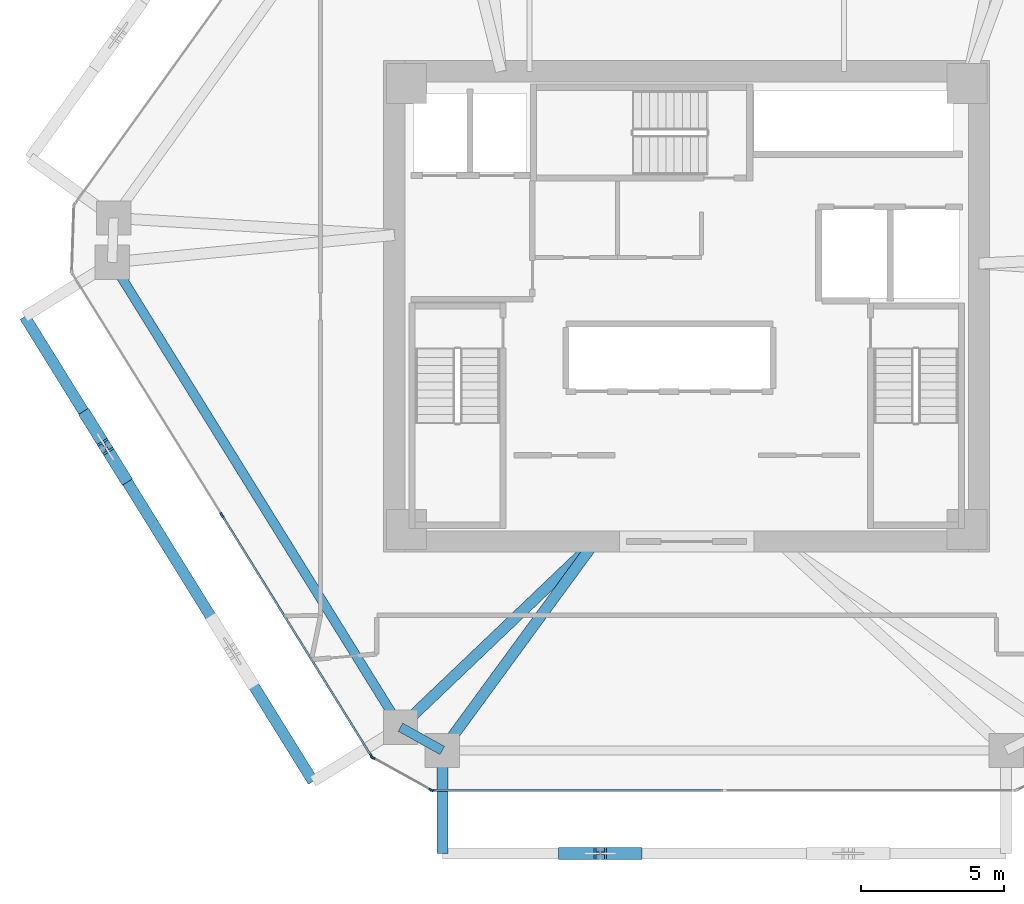
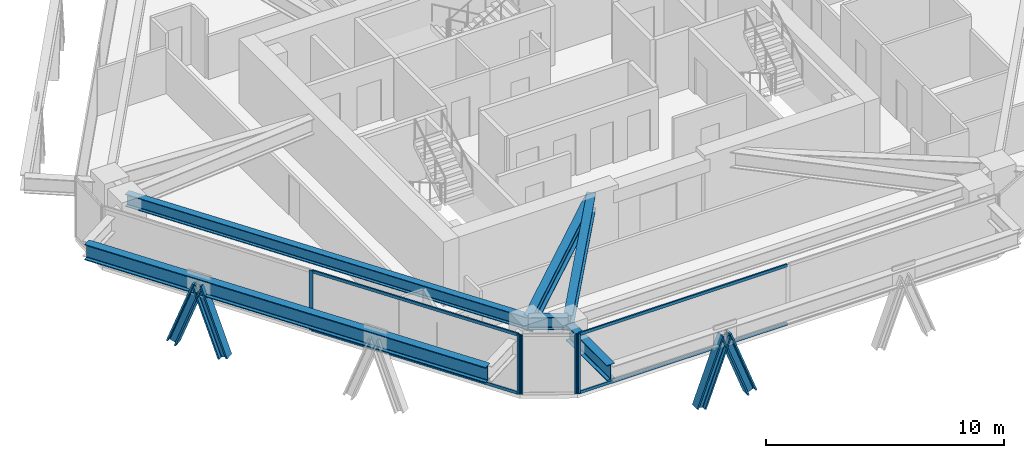
# One storey, part 2 of 15: 13 members, 6 beams, 3 elements without a shape of their own.
"""IFC4 building model written with IfcOpenShell, lengths in metres."""

from ifc_helpers import new_model, si_unit, direction, frame, origin, origin_2d, place, context, subcontext, project, spatial, rectangle, i_section, extrude, source, transform, mapped, material, layer, layer_set, material_profile, profile_set, type_object, type_shapes, element, aggregate, save


model = new_model("IFC4")

# Units and contexts
model_context = context("Model", 3, precision=1e-05, world=origin(), true_north=direction((0.0, 1.0)))
body_context = subcontext(model_context, "Body", "Model", "MODEL_VIEW")
ifc_project = project(units=[si_unit("LENGTHUNIT", "METRE"), si_unit("AREAUNIT", "SQUARE_METRE"), si_unit("VOLUMEUNIT", "CUBIC_METRE"), si_unit("PLANEANGLEUNIT", "RADIAN"), si_unit("MASSUNIT", "GRAM", prefix="KILO")], contexts=[model_context])

# Site, building, storey
site_placement = place(None, origin())
site = spatial("IfcSite", under=ifc_project, at=site_placement, CompositionType="ELEMENT")
building_placement = place(site_placement, origin())
building = spatial("IfcBuilding", under=site, at=building_placement, Name="Durnholm Broadcast Tower", CompositionType="ELEMENT")
storey_placement = place(building_placement, frame((0.0, 0.0, 104.10009765625)))
storey = spatial("IfcBuildingStorey", under=building, at=storey_placement, Name="L27", CompositionType="ELEMENT", Elevation=104.10009765625)

# Beams
ifc_material_1 = material(Name="Steel ASTM A992 Grade 50", Category="steel")
ifc_material_profile_1 = material_profile(ifc_material_1, i_section(OverallWidth=0.385009765625, OverallDepth=0.802978515625, WebThickness=0.023681640625, FlangeThickness=0.0419921875, FilletRadius=0.032958984375, at=origin_2d()), Name="W30X261")
ifc_profile_set_1 = profile_set([ifc_material_profile_1], Name="Steel ASTM A992 Grade 50")
beam_type_1 = type_object("IfcBeamType", Name="BM-EXO-TIE", PredefinedType="USERDEFINED", material=ifc_profile_set_1)
shared_shape_1 = source(origin(), body_context, "Body", "SweptSolid", [
    extrude(i_section(OverallWidth=0.385009765625, OverallDepth=0.802978515625, WebThickness=0.023681640625, FlangeThickness=0.0419921875, FilletRadius=0.032958984375, at=origin_2d()), origin(), (0.0, 0.0, 1.0), 3.4560546875),
])
beam_1_placement = place(storey_placement, frame((-8.552001953125, -15.680908203125, 2.30859375), z_axis=(0.0, -1.0, 0.0), x_axis=(1.0, 0.0, 0.0)))
element("IfcBeam", 1, at=beam_1_placement, inside=storey, type_object=beam_type_1, Name="L27 exoskeleton stand-off tie bracket F1.1", ObjectType="GIRDER", PredefinedType="USERDEFINED", context=body_context, shape_type="MappedRepresentation", body=[
    mapped(shared_shape_1, transform((0.0, 0.0, 0.0), x_axis=(1.0, 0.0, 0.0), y_axis=(0.0, 1.0, 0.0), z_axis=(0.0, 0.0, 1.0), scale=1.0)),
])
ifc_material_profile_2 = material_profile(ifc_material_1, i_section(OverallWidth=0.3291015625, OverallDepth=0.635009765625, WebThickness=0.017822265625, FlangeThickness=0.031005859375, FilletRadius=0.02783203125, at=origin_2d()), Name="W24X162")
ifc_profile_set_2 = profile_set([ifc_material_profile_2], Name="Steel ASTM A992 Grade 50")
beam_type_2 = type_object("IfcBeamType", Name="STL-SP-W24X162", PredefinedType="SPANDREL", material=ifc_profile_set_2)
shared_shape_2 = source(origin(), body_context, "Body", "SweptSolid", [
    extrude(i_section(OverallWidth=0.3291015625, OverallDepth=0.635009765625, WebThickness=0.017822265625, FlangeThickness=0.031005859375, FilletRadius=0.02783203125, at=origin_2d()), origin(), (0.0, 0.0, 1.0), 19.1396484375),
])
beam_2_placement = place(storey_placement, frame((-10.01416015625, -14.723388671875, 2.727294921875), z_axis=(-0.527105324954, 0.849799962582, 0.0), x_axis=(-0.849799962582, -0.527105324954, 0.0)))
element("IfcBeam", 2, at=beam_2_placement, inside=storey, type_object=beam_type_2, Name="L27 perimeter spandrel girder 01", PredefinedType="SPANDREL", context=body_context, shape_type="MappedRepresentation", body=[
    mapped(shared_shape_2, transform((0.0, 0.0, 0.0), x_axis=(1.0, 0.0, 0.0), y_axis=(0.0, 1.0, 0.0), z_axis=(0.0, 0.0, 1.0), scale=1.0)),
])
shared_shape_3 = source(origin(), body_context, "Body", "SweptSolid", [
    extrude(i_section(OverallWidth=0.3291015625, OverallDepth=0.635009765625, WebThickness=0.017822265625, FlangeThickness=0.031005859375, FilletRadius=0.02783203125, at=origin_2d()), origin(), (0.0, 0.0, 1.0), 1.67333984375),
])
type_shapes(beam_type_2, [shared_shape_2, shared_shape_3])
beam_3_placement = place(storey_placement, frame((-8.552001953125, -15.537109375, 2.727294921875), z_axis=(-0.873799169188, 0.486286964586, 0.0), x_axis=(-0.486286964586, -0.873799169188, 0.0)))
element("IfcBeam", 3, at=beam_3_placement, inside=storey, type_object=beam_type_2, Name="L27 perimeter spandrel girder 12", PredefinedType="SPANDREL", context=body_context, shape_type="MappedRepresentation", body=[
    mapped(shared_shape_3, transform((0.0, 0.0, 0.0), x_axis=(1.0, 0.0, 0.0), y_axis=(0.0, 1.0, 0.0), z_axis=(0.0, 0.0, 1.0), scale=1.0)),
])
ifc_material_profile_3 = material_profile(ifc_material_1, i_section(OverallWidth=0.385009765625, OverallDepth=0.802978515625, WebThickness=0.023681640625, FlangeThickness=0.0419921875, FilletRadius=0.032958984375, at=origin_2d()), Name="W30X261")
ifc_profile_set_3 = profile_set([ifc_material_profile_3], Name="Steel ASTM A992 Grade 50")
beam_type_3 = type_object("IfcBeamType", Name="STL-GR-W30X261", PredefinedType="USERDEFINED", material=ifc_profile_set_3)
shared_shape_4 = source(origin(), body_context, "Body", "SweptSolid", [
    extrude(i_section(OverallWidth=0.385009765625, OverallDepth=0.802978515625, WebThickness=0.023681640625, FlangeThickness=0.0419921875, FilletRadius=0.032958984375, at=origin_2d()), origin(), (0.0, 0.0, 1.0), 9.416015625),
])
beam_4_placement = place(storey_placement, frame((-3.199951171875, -8.22509765625, 2.643310546875), z_axis=(-0.723683335801, -0.690132182617, 0.0), x_axis=(0.690132182617, -0.723683335801, 0.0)))
element("IfcBeam", 4, at=beam_4_placement, inside=storey, type_object=beam_type_3, Name="L27 radial primary floor girder 01", ObjectType="GIRDER", PredefinedType="USERDEFINED", context=body_context, shape_type="MappedRepresentation", body=[
    mapped(shared_shape_4, transform((0.0, 0.0, 0.0), x_axis=(1.0, 0.0, 0.0), y_axis=(0.0, 1.0, 0.0), z_axis=(0.0, 0.0, 1.0), scale=1.0)),
])
shared_shape_5 = source(origin(), body_context, "Body", "SweptSolid", [
    extrude(i_section(OverallWidth=0.385009765625, OverallDepth=0.802978515625, WebThickness=0.023681640625, FlangeThickness=0.0419921875, FilletRadius=0.032958984375, at=origin_2d()), origin(), (0.0, 0.0, 1.0), 9.0615234375),
])
type_shapes(beam_type_3, [shared_shape_4, shared_shape_5])
beam_5_placement = place(storey_placement, frame((-3.199951171875, -8.22509765625, 2.643310546875), z_axis=(-0.590639241086, -0.806935739008, 0.0), x_axis=(0.806935739008, -0.590639241086, 0.0)))
element("IfcBeam", 5, at=beam_5_placement, inside=storey, type_object=beam_type_3, Name="L27 radial primary floor girder 12", ObjectType="GIRDER", PredefinedType="USERDEFINED", context=body_context, shape_type="MappedRepresentation", body=[
    mapped(shared_shape_5, transform((0.0, 0.0, 0.0), x_axis=(1.0, 0.0, 0.0), y_axis=(0.0, 1.0, 0.0), z_axis=(0.0, 0.0, 1.0), scale=1.0)),
])
shared_shape_6 = source(origin(), body_context, "Body", "SweptSolid", [
    extrude(i_section(OverallWidth=0.385009765625, OverallDepth=0.802978515625, WebThickness=0.023681640625, FlangeThickness=0.0419921875, FilletRadius=0.032958984375, at=origin_2d()), origin(), (0.0, 0.0, 1.0), 19.139404296875),
])
type_shapes(beam_type_1, [shared_shape_1, shared_shape_6])
beam_6_placement = place(storey_placement, frame((-23.162109375, -0.356201171875, 2.30859375), z_axis=(0.527111038734, -0.84979641847, 0.0), x_axis=(0.84979641847, 0.527111038734, 0.0)))
element("IfcBeam", 6, at=beam_6_placement, inside=storey, type_object=beam_type_1, Name="L27 exoskeleton collector spandrel F6", PredefinedType="SPANDREL", context=body_context, shape_type="MappedRepresentation", body=[
    mapped(shared_shape_6, transform((0.0, 0.0, 0.0), x_axis=(1.0, 0.0, 0.0), y_axis=(0.0, 1.0, 0.0), z_axis=(0.0, 0.0, 1.0), scale=1.0)),
])

# Members
ifc_material_2 = material(Name="Steel ASTM A913 Grade 65", Category="steel")
ifc_material_profile_4 = material_profile(ifc_material_2, i_section(OverallWidth=0.424072265625, OverallDepth=0.47412109375, WebThickness=0.047607421875, FlangeThickness=0.0771484375, FilletRadius=0.030517578125, at=origin_2d()), Name="W14X426")
ifc_profile_set_4 = profile_set([ifc_material_profile_4], Name="Steel ASTM A913 Grade 65")
member_type_1 = type_object("IfcMemberType", Name="STL-DG-W14X426", PredefinedType="BRACE", material=ifc_profile_set_4)
shared_shape_7 = source(origin(), body_context, "Body", "SweptSolid", [
    extrude(i_section(OverallWidth=0.424072265625, OverallDepth=0.47412109375, WebThickness=0.047607421875, FlangeThickness=0.0771484375, FilletRadius=0.030517578125, at=origin_2d()), origin(), (0.0, 0.0, 1.0), 3.523193359375),
])
type_shapes(member_type_1, [shared_shape_7])
for number, where, z_axis, x_axis, name in (
    (7, (-4.261962890625, -19.136962890625, -0.991455078125), (0.350219588454, 0.0, 0.936667625075), (0.0, 1.0, 0.0), "L27 stand-off diagrid brace F1.D1.1"),
    (8, (-1.794189453125, -19.136962890625, -0.991455078125), (-0.350219588454, 0.0, 0.936667625075), (0.0, -1.0, 0.0), "L27 stand-off diagrid brace F1.D1.2"),
    (9, (-20.987548828125, -3.86181640625, -0.991455078125), (0.184602835855, -0.297623566065, 0.936665364961), (0.849805205368, 0.527096872433, 0.0), "L27 stand-off diagrid brace F6.D1.1"),
    (10, (-19.686767578125, -5.958740234375, -0.991455078125), (-0.184606642766, 0.297560406921, 0.936684681032), (-0.849750220063, -0.527185511469, 0.0), "L27 stand-off diagrid brace F6.D1.2"),
):
    element("IfcMember", number, at=place(storey_placement, frame(where, z_axis=z_axis, x_axis=x_axis)), inside=storey, type_object=member_type_1, Name=name, PredefinedType="BRACE", context=body_context, shape_type="MappedRepresentation", body=[
        mapped(shared_shape_7, transform((0.0, 0.0, 0.0), x_axis=(1.0, 0.0, 0.0), y_axis=(0.0, 1.0, 0.0), z_axis=(0.0, 0.0, 1.0), scale=1.0)),
    ])

# Curtain wall, members
ifc_material_3 = material(Name="Aluminium and Solar Control IGU", Category="aluminium")
ifc_layer_1 = layer(ifc_material_3, 0.1650390625)
ifc_layer_set_1 = layer_set([ifc_layer_1], Name="Aluminium and Solar Control IGU")
curtain_wall_type_1 = type_object("IfcCurtainWallType", Name="CW-SYS-5", PredefinedType="NOTDEFINED", material=ifc_layer_set_1)
curtain_wall_1_placement = place(storey_placement, origin())
curtain_wall_1 = element("IfcCurtainWall", 11, at=curtain_wall_1_placement, inside=storey, type_object=curtain_wall_type_1, Name="L27 curtain wall CW-CORNER CW-L27-CRN-11", PredefinedType="NOTDEFINED")
ifc_material_4 = material(Name="Aluminium 6063-T6", Category="aluminium")
ifc_material_profile_5 = material_profile(ifc_material_4, rectangle(XDim=0.06494140625, YDim=0.1650390625, at=origin_2d()), Name="CWM65X165")
ifc_profile_set_5 = profile_set([ifc_material_profile_5], Name="Aluminium 6063-T6")
member_type_2 = type_object("IfcMemberType", Name="CW-SYS-5-MUL", PredefinedType="MULLION", material=ifc_profile_set_5)
shared_shape_8 = source(origin(), body_context, "Body", "SweptSolid", [
    extrude(rectangle(XDim=0.06494140625, YDim=0.1650390625, at=origin_2d()), origin(), (0.0, 0.0, 1.0), 3.059814453125),
])
type_shapes(member_type_2, [shared_shape_8])
member_1_placement = place(storey_placement, frame((-8.943603515625, -16.921142578125, 0.0), z_axis=(0.0, 0.0, 1.0), x_axis=(-0.486244224192, -0.873822953715, 0.0)))
member_1 = element("IfcMember", 12, at=member_1_placement, type_object=member_type_2, Name="CW-CORNER mullion 1", PredefinedType="MULLION", context=body_context, shape_type="MappedRepresentation", body=[
    mapped(shared_shape_8, transform((0.0, 0.0, 0.0), x_axis=(1.0, 0.0, 0.0), y_axis=(0.0, 1.0, 0.0), z_axis=(0.0, 0.0, 1.0), scale=1.0)),
])
member_2_placement = place(storey_placement, frame((-10.98388671875, -15.785888671875, 0.0), z_axis=(0.0, 0.0, 1.0), x_axis=(-0.486244224192, -0.873822953715, 0.0)))
member_2 = element("IfcMember", 13, at=member_2_placement, type_object=member_type_2, Name="CW-CORNER mullion 2", PredefinedType="MULLION", context=body_context, shape_type="MappedRepresentation", body=[
    mapped(shared_shape_8, transform((0.0, 0.0, 0.0), x_axis=(1.0, 0.0, 0.0), y_axis=(0.0, 1.0, 0.0), z_axis=(0.0, 0.0, 1.0), scale=1.0)),
])
aggregate(curtain_wall_1, [member_1, member_2])

# Curtain wall, member
ifc_layer_2 = layer(ifc_material_3, 0.18994140625)
ifc_layer_set_2 = layer_set([ifc_layer_2], Name="Aluminium and Solar Control IGU")
curtain_wall_type_2 = type_object("IfcCurtainWallType", Name="CW-SYS-3", PredefinedType="NOTDEFINED", material=ifc_layer_set_2)
curtain_wall_2_placement = place(storey_placement, origin())
curtain_wall_2 = element("IfcCurtainWall", 14, at=curtain_wall_2_placement, inside=storey, type_object=curtain_wall_type_2, Name="L27 curtain wall CW-Z12-VIS CW-L27-F10", PredefinedType="NOTDEFINED")
ifc_material_profile_6 = material_profile(ifc_material_4, rectangle(XDim=0.070068359375, YDim=0.18994140625, at=origin_2d()), Name="CWM70X190")
ifc_profile_set_6 = profile_set([ifc_material_profile_6], Name="Aluminium 6063-T6")
member_type_3 = type_object("IfcMemberType", Name="CW-SYS-3-MUL", PredefinedType="MULLION", material=ifc_profile_set_6)
shared_shape_9 = source(origin(), body_context, "Body", "SweptSolid", [
    extrude(rectangle(XDim=0.070068359375, YDim=0.18994140625, at=origin_2d()), origin(), (0.0, 0.0, 1.0), 3.059814453125),
])
type_shapes(member_type_3, [shared_shape_9])
member_3_placement = place(storey_placement, frame((-8.880126953125, -16.93701171875, 0.0), z_axis=(0.0, 0.0, 1.0), x_axis=(0.0, -1.0, 0.0)))
member_3 = element("IfcMember", 15, at=member_3_placement, type_object=member_type_3, Name="CW-Z12-VIS mullion 3", PredefinedType="MULLION", context=body_context, shape_type="MappedRepresentation", body=[
    mapped(shared_shape_9, transform((0.0, 0.0, 0.0), x_axis=(1.0, 0.0, 0.0), y_axis=(0.0, 1.0, 0.0), z_axis=(0.0, 0.0, 1.0), scale=1.0)),
])

# Curtain wall, members
curtain_wall_3_placement = place(storey_placement, origin())
curtain_wall_3 = element("IfcCurtainWall", 16, at=curtain_wall_3_placement, inside=storey, type_object=curtain_wall_type_2, Name="L27 curtain wall CW-Z12-VIS CW-L27-F12", PredefinedType="NOTDEFINED")
member_4_placement = place(storey_placement, frame((-11.03076171875, -15.740234375, 0.0), z_axis=(0.0, 0.0, 1.0), x_axis=(-0.849799925229, -0.527105385176, 0.0)))
member_4 = element("IfcMember", 17, at=member_4_placement, type_object=member_type_3, Name="CW-Z12-VIS mullion 1", PredefinedType="MULLION", context=body_context, shape_type="MappedRepresentation", body=[
    mapped(shared_shape_9, transform((0.0, 0.0, 0.0), x_axis=(1.0, 0.0, 0.0), y_axis=(0.0, 1.0, 0.0), z_axis=(0.0, 0.0, 1.0), scale=1.0)),
])
member_5_placement = place(storey_placement, frame((-16.264404296875, -7.302734375, 0.0), z_axis=(0.0, 0.0, 1.0), x_axis=(-0.849799925229, -0.527105385176, 0.0)))
member_5 = element("IfcMember", 18, at=member_5_placement, type_object=member_type_3, Name="CW-Z12-VIS mullion 2", PredefinedType="MULLION", context=body_context, shape_type="MappedRepresentation", body=[
    mapped(shared_shape_9, transform((0.0, 0.0, 0.0), x_axis=(1.0, 0.0, 0.0), y_axis=(0.0, 1.0, 0.0), z_axis=(0.0, 0.0, 1.0), scale=1.0)),
])

# Member
ifc_material_profile_7 = material_profile(ifc_material_4, rectangle(XDim=0.070068359375, YDim=0.14990234375, at=origin_2d()), Name="CWT70X150")
ifc_profile_set_7 = profile_set([ifc_material_profile_7], Name="Aluminium 6063-T6")
member_type_4 = type_object("IfcMemberType", Name="CW-SYS-3-TRN", PredefinedType="USERDEFINED", material=ifc_profile_set_7)
shared_shape_10 = source(origin(), body_context, "Body", "SweptSolid", [
    extrude(rectangle(XDim=0.070068359375, YDim=0.14990234375, at=origin_2d()), origin(), (0.0, 0.0, 1.0), 10.109619140625),
])
member_6_placement = place(storey_placement, frame((1.264404296875, -16.93701171875, 0.034912109375), z_axis=(-1.0, 0.0, 0.0), x_axis=(0.0, -1.0, 0.0)))
member_6 = element("IfcMember", 19, at=member_6_placement, type_object=member_type_4, Name="CW-Z12-VIS transom 2.1", ObjectType="TRANSOM", PredefinedType="USERDEFINED", context=body_context, shape_type="MappedRepresentation", body=[
    mapped(shared_shape_10, transform((0.0, 0.0, 0.0), x_axis=(1.0, 0.0, 0.0), y_axis=(0.0, 1.0, 0.0), z_axis=(0.0, 0.0, 1.0), scale=1.0)),
])

member_7_placement = place(storey_placement, frame((1.264404296875, -16.93701171875, 3.02490234375), z_axis=(-1.0, 0.0, 0.0), x_axis=(0.0, -1.0, 0.0)))
member_7 = element("IfcMember", 20, at=member_7_placement, type_object=member_type_4, Name="CW-Z12-VIS transom 2.2", ObjectType="TRANSOM", PredefinedType="USERDEFINED", context=body_context, shape_type="MappedRepresentation", body=[
    mapped(shared_shape_10, transform((0.0, 0.0, 0.0), x_axis=(1.0, 0.0, 0.0), y_axis=(0.0, 1.0, 0.0), z_axis=(0.0, 0.0, 1.0), scale=1.0)),
])

aggregate(curtain_wall_2, [member_3, member_6, member_7])

shared_shape_11 = source(origin(), body_context, "Body", "SweptSolid", [
    extrude(rectangle(XDim=0.070068359375, YDim=0.14990234375, at=origin_2d()), origin(), (0.0, 0.0, 1.0), 9.858642578125),
])
type_shapes(member_type_4, [shared_shape_10, shared_shape_11])
member_8_placement = place(storey_placement, frame((-11.04931640625, -15.71044921875, 0.034912109375), z_axis=(-0.527102081419, 0.849801974441, 0.0), x_axis=(-0.849801974441, -0.527102081419, 0.0)))
member_8 = element("IfcMember", 21, at=member_8_placement, type_object=member_type_4, Name="CW-Z12-VIS transom 1.1", ObjectType="TRANSOM", PredefinedType="USERDEFINED", context=body_context, shape_type="MappedRepresentation", body=[
    mapped(shared_shape_11, transform((0.0, 0.0, 0.0), x_axis=(1.0, 0.0, 0.0), y_axis=(0.0, 1.0, 0.0), z_axis=(0.0, 0.0, 1.0), scale=1.0)),
])

member_9_placement = place(storey_placement, frame((-11.04931640625, -15.71044921875, 3.02490234375), z_axis=(-0.527102081419, 0.849801974441, 0.0), x_axis=(-0.849801974441, -0.527102081419, 0.0)))
member_9 = element("IfcMember", 22, at=member_9_placement, type_object=member_type_4, Name="CW-Z12-VIS transom 1.2", ObjectType="TRANSOM", PredefinedType="USERDEFINED", context=body_context, shape_type="MappedRepresentation", body=[
    mapped(shared_shape_11, transform((0.0, 0.0, 0.0), x_axis=(1.0, 0.0, 0.0), y_axis=(0.0, 1.0, 0.0), z_axis=(0.0, 0.0, 1.0), scale=1.0)),
])

aggregate(curtain_wall_3, [member_4, member_5, member_8, member_9])

save(model, "model.ifc")
